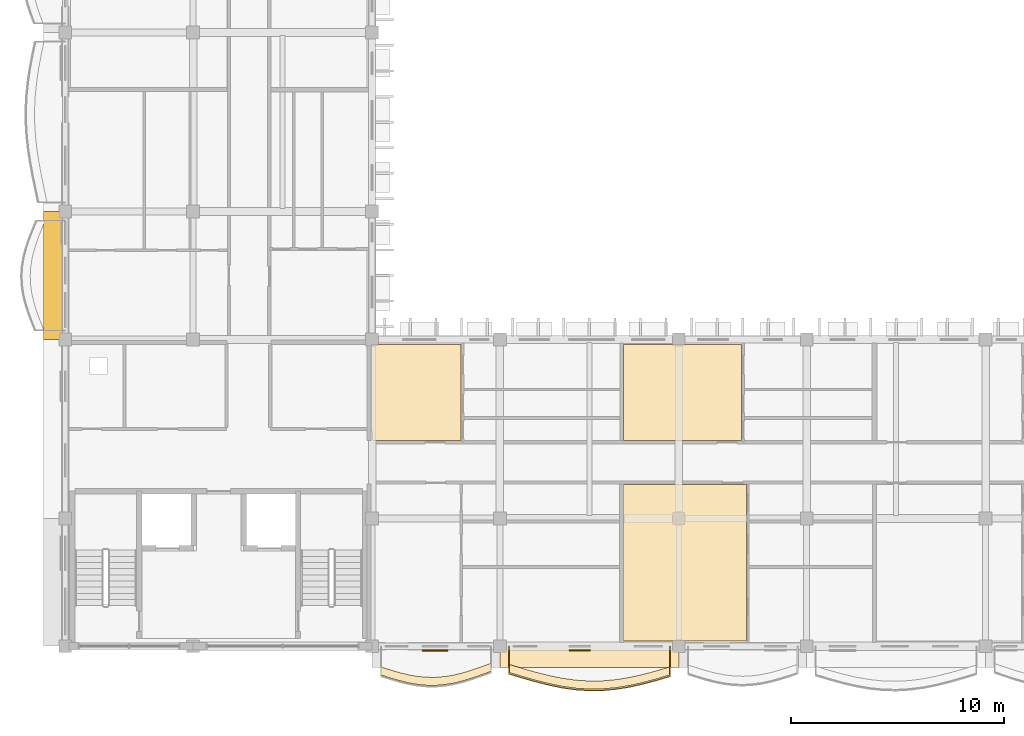
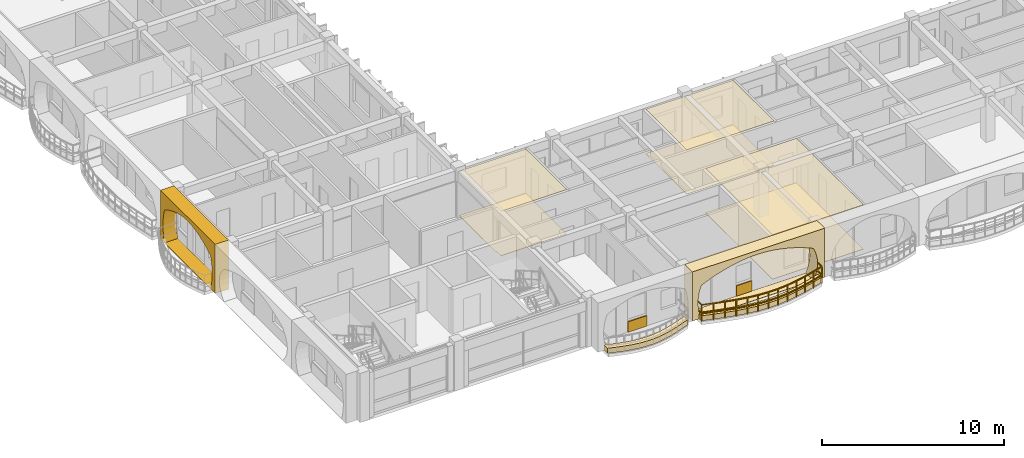
# One storey, part 69 of 101: 12 coverings, 1 railing.
"""IFC4 building model written with IfcOpenShell, lengths in metres."""

from ifc_helpers import new_model, si_unit, direction, frame, origin, origin_2d, place, context, subcontext, project, spatial, polyline, rectangle, outline, extrude, material, layer, layer_set, type_object, element, save


model = new_model("IFC4")

# Units and contexts
model_context = context("Model", 3, precision=1e-05, world=origin(), true_north=direction((0.0, 1.0)))
body_context = subcontext(model_context, "Body", "Model", "MODEL_VIEW")
ifc_project = project(units=[si_unit("LENGTHUNIT", "METRE"), si_unit("AREAUNIT", "SQUARE_METRE"), si_unit("VOLUMEUNIT", "CUBIC_METRE"), si_unit("PLANEANGLEUNIT", "RADIAN"), si_unit("MASSUNIT", "GRAM", prefix="KILO"), si_unit("THERMODYNAMICTEMPERATUREUNIT", "KELVIN")], contexts=[model_context])

# Site, building, storey
site_placement = place(None, origin())
site = spatial("IfcSite", under=ifc_project, at=site_placement, CompositionType="ELEMENT")
building_placement = place(site_placement, origin())
building = spatial("IfcBuilding", under=site, at=building_placement, Name="Thalorik Housing Commons", CompositionType="ELEMENT")
storey_placement = place(building_placement, frame((0.0, 0.0, 8.10009765625)))
storey = spatial("IfcBuildingStorey", under=building, at=storey_placement, Name="L02", CompositionType="ELEMENT", Elevation=8.10009765625)

# Coverings
ifc_material_1 = material(Name="Precast concrete C40/50", Category="concrete")
ifc_layer_1 = layer(ifc_material_1, 0.85009765625, Name="Precast concrete C40/50", Category="concrete")
ifc_layer_set_1 = layer_set([ifc_layer_1], Name="Precast concrete C40/50")
covering_type_1 = type_object("IfcCoveringType", Name="ARC-CLD-CUSH-850", PredefinedType="CLADDING", material=ifc_layer_set_1)
covering_1_placement = place(storey_placement, frame((7.81494140625, 25.800048828125, 0.0), z_axis=(0.0, 0.0, 1.0), x_axis=(0.0, -1.0, 0.0)))
element("IfcCovering", 1, at=covering_1_placement, inside=storey, type_object=covering_type_1, Name="L02 White Precast Curved Cushion Bay Frame 3597", PredefinedType="CLADDING", context=body_context, shape_type="SweptSolid", body=[
    extrude(outline(polyline([(-3.0, 0.0), (3.0, 0.0), (3.0, 3.300048828125), (-3.0, 3.300048828125), (-3.0, 0.0)]), holes=[polyline([(2.485107421875, 0.02490234375), (2.59375, 0.394287109375), (2.658935546875, 0.76318359375), (2.6806640625, 1.132568359375), (2.658935546875, 1.501708984375), (2.59375, 1.870849609375), (2.485107421875, 2.239990234375), (2.063232421875, 2.4833984375), (1.6416015625, 2.6748046875), (1.219970703125, 2.82958984375), (0.79833984375, 2.94482421875), (0.376708984375, 3.01611328125), (-0.044921875, 3.0400390625), (-0.466796875, 3.01611328125), (-0.88818359375, 2.94482421875), (-1.31005859375, 2.82958984375), (-1.731689453125, 2.6748046875), (-2.1533203125, 2.4833984375), (-2.574951171875, 2.239990234375), (-2.664794921875, 1.870849609375), (-2.718505859375, 1.501708984375), (-2.736572265625, 1.132568359375), (-2.718505859375, 0.76318359375), (-2.664794921875, 0.394287109375), (-2.574951171875, 0.02490234375), (2.485107421875, 0.02490234375)])]), frame((0.0, 0.425048828125, 0.0), z_axis=(0.0, -1.0, 0.0), x_axis=(1.0, 0.0, 0.0)), (0.0, 0.0, 1.0), 0.85009765625),
])
covering_2_placement = place(storey_placement, frame((33.0, 7.81494140625, 0.0), z_axis=(0.0, 0.0, 1.0), x_axis=(1.0, 0.0, 0.0)))
element("IfcCovering", 2, at=covering_2_placement, inside=storey, type_object=covering_type_1, Name="L02 White Precast Curved Cushion Bay Frame 3605", PredefinedType="CLADDING", context=body_context, shape_type="SweptSolid", body=[
    extrude(outline(polyline([(-4.199951171875, 0.0), (4.199951171875, 0.0), (4.199951171875, 3.300048828125), (-4.199951171875, 3.300048828125), (-4.199951171875, 0.0)]), holes=[polyline([(3.47509765625, 0.02490234375), (3.628173828125, 0.387451171875), (3.719970703125, 0.75), (3.75048828125, 1.112548828125), (3.719970703125, 1.47509765625), (3.628173828125, 1.83740234375), (3.47509765625, 2.199951171875), (2.8828125, 2.455810546875), (2.290771484375, 2.656494140625), (1.69873046875, 2.819091796875), (1.106689453125, 2.940185546875), (0.5146484375, 3.014892578125), (-0.077392578125, 3.0400390625), (-0.669677734375, 3.014892578125), (-1.26171875, 2.940185546875), (-1.853759765625, 2.819091796875), (-2.44580078125, 2.656494140625), (-3.037841796875, 2.455810546875), (-3.6298828125, 2.199951171875), (-3.750244140625, 1.83740234375), (-3.822509765625, 1.47509765625), (-3.8466796875, 1.112548828125), (-3.822509765625, 0.75), (-3.750244140625, 0.387451171875), (-3.6298828125, 0.02490234375), (3.47509765625, 0.02490234375)])]), frame((0.0, 0.425048828125, 0.0), z_axis=(0.0, -1.0, 0.0), x_axis=(1.0, 0.0, 0.0)), (0.0, 0.0, 1.0), 0.85009765625),
])
ifc_material_2 = material(Name="Terracotta red mineral fibre-cement panel", Category="masonry")
ifc_layer_2 = layer(ifc_material_2, 0.054931640625, Name="Terracotta red mineral fibre-cement panel", Category="masonry")
ifc_layer_set_2 = layer_set([ifc_layer_2], Name="Terracotta red mineral fibre-cement panel")
covering_type_2 = type_object("IfcCoveringType", Name="ARC-CLD-RED-55", PredefinedType="CLADDING", material=ifc_layer_set_2)
covering_3_placement = place(storey_placement, frame((32.544921875, 8.20751953125, 0.0498046875), z_axis=(0.0, 0.0, 1.0), x_axis=(1.0, 0.0, 0.0)))
element("IfcCovering", 3, at=covering_3_placement, inside=storey, type_object=covering_type_2, Name="L02 De Stijl Recessed Window Spandrel 3606", PredefinedType="CLADDING", context=body_context, shape_type="SweptSolid", body=[
    extrude(rectangle(XDim=1.0, YDim=0.054931640625, at=origin_2d()), origin(), (0.0, 0.0, 1.0), 0.699951171875),
])
ifc_material_3 = material(Name="Mineral ochre architectural terracotta panel", Category="masonry")
ifc_layer_3 = layer(ifc_material_3, 0.06494140625, Name="Mineral ochre architectural terracotta panel", Category="masonry")
ifc_layer_set_3 = layer_set([ifc_layer_3], Name="Mineral ochre architectural terracotta panel")
covering_type_3 = type_object("IfcCoveringType", Name="ARC-CLD-YEL-65", PredefinedType="CLADDING", material=ifc_layer_set_3)
covering_4_placement = place(storey_placement, frame((25.7548828125, 8.202392578125, 0.0498046875), z_axis=(0.0, 0.0, 1.0), x_axis=(1.0, 0.0, 0.0)))
element("IfcCovering", 4, at=covering_4_placement, inside=storey, type_object=covering_type_3, Name="L02 De Stijl Recessed Window Spandrel 3604", PredefinedType="CLADDING", context=body_context, shape_type="SweptSolid", body=[
    extrude(rectangle(XDim=1.199951171875, YDim=0.06494140625, at=origin_2d()), origin(), (0.0, 0.0, 1.0), 0.699951171875),
])
ifc_material_4 = material(Name="Slatted timber acoustic hall baffle ceiling", Category="wood")
ifc_layer_4 = layer(ifc_material_4, 0.02197265625, Name="Slatted timber acoustic hall baffle ceiling", Category="wood")
ifc_layer_set_4 = layer_set([ifc_layer_4], Name="Slatted timber acoustic hall baffle ceiling")
covering_type_4 = type_object("IfcCoveringType", Name="ARC-COV-CEIL-03", PredefinedType="CEILING", material=ifc_layer_set_4)
covering_5_placement = place(storey_placement, frame((0.0, 0.0, 2.977783203125)))
element("IfcCovering", 5, at=covering_5_placement, inside=storey, type_object=covering_type_4, Name="L02 Family Lounge Suspended Ceiling", PredefinedType="CEILING", context=body_context, shape_type="SweptSolid", body=[
    extrude(outline(polyline([(22.739990234375, 18.4951171875), (22.80712890625, 18.4931640625), (22.81494140625, 18.47998046875), (22.81494140625, 18.06005859375), (26.98291015625, 18.06005859375), (26.98291015625, 22.56005859375), (22.739990234375, 22.56005859375), (22.739990234375, 18.4951171875)])), origin(), (0.0, 0.0, 1.0), 0.022216796875),
])
ifc_material_5 = material(Name="Moisture-resistant gypsum bathroom ceiling")
ifc_layer_5 = layer(ifc_material_5, 0.02490234375, Name="Moisture-resistant gypsum bathroom ceiling")
ifc_layer_set_5 = layer_set([ifc_layer_5], Name="Moisture-resistant gypsum bathroom ceiling")
covering_type_5 = type_object("IfcCoveringType", Name="ARC-COV-CEIL-04", PredefinedType="CEILING", material=ifc_layer_set_5)
covering_6_placement = place(storey_placement, frame((0.0, 0.0, 2.974853515625)))
element("IfcCovering", 6, at=covering_6_placement, inside=storey, type_object=covering_type_5, Name="L02 Living Dining Room Suspended Ceiling", PredefinedType="CEILING", context=body_context, shape_type="SweptSolid", body=[
    extrude(outline(polyline([(40.3798828125, 8.639892578125), (40.3798828125, 16.0), (34.60009765625, 16.0), (34.60009765625, 8.639892578125), (40.3798828125, 8.639892578125)])), origin(), (0.0, 0.0, 1.0), 0.025146484375),
])
ifc_material_6 = material(Name="Fire-rated calcium silicate corridor ceiling")
ifc_layer_6 = layer(ifc_material_6, 0.030029296875, Name="Fire-rated calcium silicate corridor ceiling")
ifc_layer_set_6 = layer_set([ifc_layer_6], Name="Fire-rated calcium silicate corridor ceiling")
covering_type_6 = type_object("IfcCoveringType", Name="ARC-COV-CEIL-05", PredefinedType="CEILING", material=ifc_layer_set_6)
covering_7_placement = place(storey_placement, frame((0.0, 0.0, 2.969970703125)))
element("IfcCovering", 7, at=covering_7_placement, inside=storey, type_object=covering_type_6, Name="L02 Living Dining Room Suspended Ceiling", PredefinedType="CEILING", context=body_context, shape_type="SweptSolid", body=[
    extrude(outline(polyline([(40.142822265625, 18.06005859375), (40.142822265625, 22.56005859375), (34.60009765625, 22.56005859375), (34.60009765625, 18.06005859375), (40.142822265625, 18.06005859375)])), origin(), (0.0, 0.0, 1.0), 0.030029296875),
])
ifc_material_7 = material(Name="Cushioned natural linoleum nursery playroom flooring")
ifc_layer_7 = layer(ifc_material_7, 0.02001953125, Name="Cushioned natural linoleum nursery playroom flooring")
ifc_layer_set_7 = layer_set([ifc_layer_7], Name="Cushioned natural linoleum nursery playroom flooring")
covering_type_7 = type_object("IfcCoveringType", Name="ARC-COV-FLR-03", PredefinedType="FLOORING", material=ifc_layer_set_7)
covering_8_placement = place(storey_placement, origin())
element("IfcCovering", 8, at=covering_8_placement, inside=storey, type_object=covering_type_7, Name="L02 Family Lounge Flooring", PredefinedType="FLOORING", context=body_context, shape_type="SweptSolid", body=[
    extrude(outline(polyline([(22.739990234375, 18.4951171875), (22.80712890625, 18.4931640625), (22.81494140625, 18.47998046875), (22.81494140625, 18.06005859375), (26.98291015625, 18.06005859375), (26.98291015625, 22.56005859375), (22.739990234375, 22.56005859375), (22.739990234375, 18.4951171875)])), origin(), (0.0, 0.0, 1.0), 0.02001953125),
])
ifc_material_8 = material(Name="Sprung Brazilian oak assembly hall timber floor", Category="wood")
ifc_layer_8 = layer(ifc_material_8, 0.02392578125, Name="Sprung Brazilian oak assembly hall timber floor", Category="wood")
ifc_layer_set_8 = layer_set([ifc_layer_8], Name="Sprung Brazilian oak assembly hall timber floor")
covering_type_8 = type_object("IfcCoveringType", Name="ARC-COV-FLR-04", PredefinedType="FLOORING", material=ifc_layer_set_8)
covering_9_placement = place(storey_placement, origin())
element("IfcCovering", 9, at=covering_9_placement, inside=storey, type_object=covering_type_8, Name="L02 Living Dining Room Flooring", PredefinedType="FLOORING", context=body_context, shape_type="SweptSolid", body=[
    extrude(outline(polyline([(40.3798828125, 8.639892578125), (40.3798828125, 16.0), (34.60009765625, 16.0), (34.60009765625, 8.639892578125), (40.3798828125, 8.639892578125)])), origin(), (0.0, 0.0, 1.0), 0.02392578125),
])
ifc_material_9 = material(Name="Heavy-duty porcelain metro vestibule tile")
ifc_layer_9 = layer(ifc_material_9, 0.028076171875, Name="Heavy-duty porcelain metro vestibule tile")
ifc_layer_set_9 = layer_set([ifc_layer_9], Name="Heavy-duty porcelain metro vestibule tile")
covering_type_9 = type_object("IfcCoveringType", Name="ARC-COV-FLR-05", PredefinedType="FLOORING", material=ifc_layer_set_9)
covering_10_placement = place(storey_placement, origin())
element("IfcCovering", 10, at=covering_10_placement, inside=storey, type_object=covering_type_9, Name="L02 Living Dining Room Flooring", PredefinedType="FLOORING", context=body_context, shape_type="SweptSolid", body=[
    extrude(outline(polyline([(40.142822265625, 18.06005859375), (40.142822265625, 22.56005859375), (34.60009765625, 22.56005859375), (34.60009765625, 18.06005859375), (40.142822265625, 18.06005859375)])), origin(), (0.0, 0.0, 1.0), 0.02783203125),
])
ifc_material_10 = material(Name="Planted vegetated substrate and terracotta trough", Category="masonry")
ifc_layer_10 = layer(ifc_material_10, 0.340087890625, Name="Planted vegetated substrate and terracotta trough", Category="masonry")
ifc_layer_set_10 = layer_set([ifc_layer_10], Name="Planted vegetated substrate and terracotta trough")
covering_type_10 = type_object("IfcCoveringType", Name="ARC-COV-PLANTER", PredefinedType="USERDEFINED", material=ifc_layer_set_10)
covering_11_placement = place(storey_placement, origin())
element("IfcCovering", 11, at=covering_11_placement, inside=storey, type_object=covering_type_10, Name="L02 Balcony Slab-Edge Planted Trough 5572", ObjectType="PLANTER", PredefinedType="USERDEFINED", context=body_context, shape_type="SweptSolid", body=[
    extrude(outline(polyline([(23.219970703125, 7.047119140625), (23.64990234375, 6.9091796875), (24.080078125, 6.78369140625), (24.510009765625, 6.67919921875), (24.93994140625, 6.603759765625), (25.3701171875, 6.5634765625), (25.800048828125, 6.561279296875), (26.22998046875, 6.5986328125), (26.659912109375, 6.673095703125), (27.090087890625, 6.77978515625), (27.52001953125, 6.912353515625), (27.949951171875, 7.0615234375), (28.3798828125, 7.21728515625), (28.3798828125, 7.597412109375), (27.949951171875, 7.441650390625), (27.52001953125, 7.29248046875), (27.090087890625, 7.159912109375), (26.659912109375, 7.052978515625), (26.22998046875, 6.978515625), (25.800048828125, 6.94140625), (25.3701171875, 6.943359375), (24.93994140625, 6.98388671875), (24.510009765625, 7.05908203125), (24.080078125, 7.16357421875), (23.64990234375, 7.289306640625), (23.219970703125, 7.427001953125), (23.219970703125, 7.047119140625)])), origin(), (0.0, 0.0, 1.0), 0.33984375),
])
covering_12_placement = place(storey_placement, origin())
element("IfcCovering", 12, at=covering_12_placement, inside=storey, type_object=covering_type_10, Name="L02 Balcony Slab-Edge Planted Trough 5573", ObjectType="PLANTER", PredefinedType="USERDEFINED", context=body_context, shape_type="SweptSolid", body=[
    extrude(outline(polyline([(29.219970703125, 7.16845703125), (29.85009765625, 6.98095703125), (30.47998046875, 6.80126953125), (31.110107421875, 6.64208984375), (31.739990234375, 6.51416015625), (32.3701171875, 6.4267578125), (33.0, 6.385986328125), (33.6298828125, 6.39453125), (34.260009765625, 6.451904296875), (34.889892578125, 6.5546875), (35.52001953125, 6.6953125), (36.14990234375, 6.864013671875), (36.780029296875, 7.0498046875), (36.780029296875, 7.4296875), (36.14990234375, 7.244140625), (35.52001953125, 7.0751953125), (34.889892578125, 6.9345703125), (34.260009765625, 6.83203125), (33.6298828125, 6.7744140625), (33.0, 6.765869140625), (32.3701171875, 6.806884765625), (31.739990234375, 6.894287109375), (31.110107421875, 7.02197265625), (30.47998046875, 7.18115234375), (29.85009765625, 7.36083984375), (29.219970703125, 7.54833984375), (29.219970703125, 7.16845703125)])), origin(), (0.0, 0.0, 1.0), 0.33984375),
])

# Railing
ifc_material_11 = material(Name="Steel S355", Category="steel")
railing_type = type_object("IfcRailingType", Name="ARC-RL-BAL-115", PredefinedType="BALUSTRADE", material=ifc_material_11)
railing_placement = place(storey_placement, frame((29.219970703125, 8.39990234375, 0.0)))
element("IfcRailing", 13, at=railing_placement, inside=storey, type_object=railing_type, Name="L02 Cushion Balcony Guardrail 257", PredefinedType="BALUSTRADE", context=body_context, shape_type="SweptSolid", body=[
    extrude(rectangle(XDim=0.050048828125, YDim=0.050048828125, at=origin_2d()), frame((0.0, 0.0, 1.125), z_axis=(0.0, -1.0, 0.0), x_axis=(1.0, 0.0, 0.0)), (0.0, 0.0, 1.0), 1.301513671875),
    extrude(rectangle(XDim=0.050048828125, YDim=0.050048828125, at=origin_2d()), frame((0.0, 0.0, 0.5498046875), z_axis=(0.0, -1.0, 0.0), x_axis=(1.0, 0.0, 0.0)), (0.0, 0.0, 1.0), 1.301513671875),
    extrude(rectangle(XDim=0.050048828125, YDim=0.050048828125, at=origin_2d()), frame((0.0, -1.301513671875, 1.125), z_axis=(0.958467789843, -0.285200799147, 0.0), x_axis=(0.285200799147, 0.958467789843, 0.0)), (0.0, 0.0, 1.0), 0.657470703125),
    extrude(rectangle(XDim=0.050048828125, YDim=0.050048828125, at=origin_2d()), frame((0.0, -1.301513671875, 0.5498046875), z_axis=(0.958467789843, -0.285200799147, 0.0), x_axis=(0.285200799147, 0.958467789843, 0.0)), (0.0, 0.0, 1.0), 0.657470703125),
    extrude(rectangle(XDim=0.050048828125, YDim=0.050048828125, at=origin_2d()), frame((0.630126953125, -1.489013671875, 1.125), z_axis=(0.961636388432, -0.274327279801, 0.0), x_axis=(0.274327279801, 0.961636388432, 0.0)), (0.0, 0.0, 1.0), 0.655029296875),
    extrude(rectangle(XDim=0.050048828125, YDim=0.050048828125, at=origin_2d()), frame((0.630126953125, -1.489013671875, 0.5498046875), z_axis=(0.961636388432, -0.274327279801, 0.0), x_axis=(0.274327279801, 0.961636388432, 0.0)), (0.0, 0.0, 1.0), 0.655029296875),
    extrude(rectangle(XDim=0.050048828125, YDim=0.050048828125, at=origin_2d()), frame((1.260009765625, -1.668701171875, 1.125), z_axis=(0.969542950291, -0.244921349705, 0.0), x_axis=(0.244921349705, 0.969542950291, 0.0)), (0.0, 0.0, 1.0), 0.64990234375),
    extrude(rectangle(XDim=0.050048828125, YDim=0.050048828125, at=origin_2d()), frame((1.260009765625, -1.668701171875, 0.5498046875), z_axis=(0.969542950291, -0.244921349705, 0.0), x_axis=(0.244921349705, 0.969542950291, 0.0)), (0.0, 0.0, 1.0), 0.64990234375),
    extrude(rectangle(XDim=0.050048828125, YDim=0.050048828125, at=origin_2d()), frame((1.89013671875, -1.827880859375, 1.125), z_axis=(0.979991950448, -0.19903712482, 0.0), x_axis=(0.19903712482, 0.979991950448, 0.0)), (0.0, 0.0, 1.0), 0.642822265625),
    extrude(rectangle(XDim=0.050048828125, YDim=0.050048828125, at=origin_2d()), frame((1.89013671875, -1.827880859375, 0.5498046875), z_axis=(0.979991950448, -0.19903712482, 0.0), x_axis=(0.19903712482, 0.979991950448, 0.0)), (0.0, 0.0, 1.0), 0.642822265625),
    extrude(rectangle(XDim=0.050048828125, YDim=0.050048828125, at=origin_2d()), frame((2.52001953125, -1.955810546875, 1.125), z_axis=(0.990516951139, -0.137390572843, 0.0), x_axis=(0.137390572843, 0.990516951139, 0.0)), (0.0, 0.0, 1.0), 0.63623046875),
    extrude(rectangle(XDim=0.050048828125, YDim=0.050048828125, at=origin_2d()), frame((2.52001953125, -1.955810546875, 0.5498046875), z_axis=(0.990516951139, -0.137390572843, 0.0), x_axis=(0.137390572843, 0.990516951139, 0.0)), (0.0, 0.0, 1.0), 0.63623046875),
    extrude(rectangle(XDim=0.050048828125, YDim=0.050048828125, at=origin_2d()), frame((3.150146484375, -2.043212890625, 1.125), z_axis=(0.997911658868, -0.064593506601, 0.0), x_axis=(0.064593506601, 0.997911658868, 0.0)), (0.0, 0.0, 1.0), 0.631103515625),
    extrude(rectangle(XDim=0.050048828125, YDim=0.050048828125, at=origin_2d()), frame((3.150146484375, -2.043212890625, 0.5498046875), z_axis=(0.997911658868, -0.064593506601, 0.0), x_axis=(0.064593506601, 0.997911658868, 0.0)), (0.0, 0.0, 1.0), 0.631103515625),
    extrude(rectangle(XDim=0.050048828125, YDim=0.050048828125, at=origin_2d()), frame((3.780029296875, -2.083984375, 1.125), z_axis=(0.999907995993, 0.013564643356, 0.0), x_axis=(-0.013564643356, 0.999907995993, 0.0)), (0.0, 0.0, 1.0), 0.6298828125),
    extrude(rectangle(XDim=0.050048828125, YDim=0.050048828125, at=origin_2d()), frame((3.780029296875, -2.083984375, 0.5498046875), z_axis=(0.999907995993, 0.013564643356, 0.0), x_axis=(-0.013564643356, 0.999907995993, 0.0)), (0.0, 0.0, 1.0), 0.6298828125),
    extrude(rectangle(XDim=0.050048828125, YDim=0.050048828125, at=origin_2d()), frame((4.409912109375, -2.075439453125, 1.125), z_axis=(0.995845630762, 0.091057562518, 0.0), x_axis=(-0.091057562518, 0.995845630762, 0.0)), (0.0, 0.0, 1.0), 0.6328125),
    extrude(rectangle(XDim=0.050048828125, YDim=0.050048828125, at=origin_2d()), frame((4.409912109375, -2.075439453125, 0.5498046875), z_axis=(0.995845630762, 0.091057562518, 0.0), x_axis=(-0.091057562518, 0.995845630762, 0.0)), (0.0, 0.0, 1.0), 0.6328125),
    extrude(rectangle(XDim=0.050048828125, YDim=0.050048828125, at=origin_2d()), frame((5.0400390625, -2.017822265625, 1.125), z_axis=(0.987007269931, 0.160675602082, 0.0), x_axis=(-0.160675602082, 0.987007269931, 0.0)), (0.0, 0.0, 1.0), 0.63818359375),
    extrude(rectangle(XDim=0.050048828125, YDim=0.050048828125, at=origin_2d()), frame((5.0400390625, -2.017822265625, 0.5498046875), z_axis=(0.987007269931, 0.160675602082, 0.0), x_axis=(-0.160675602082, 0.987007269931, 0.0)), (0.0, 0.0, 1.0), 0.63818359375),
    extrude(rectangle(XDim=0.050048828125, YDim=0.050048828125, at=origin_2d()), frame((5.669921875, -1.915283203125, 1.125), z_axis=(0.975990917387, 0.217811223718, 0.0), x_axis=(-0.217811223718, 0.975990917387, 0.0)), (0.0, 0.0, 1.0), 0.6455078125),
    extrude(rectangle(XDim=0.050048828125, YDim=0.050048828125, at=origin_2d()), frame((5.669921875, -1.915283203125, 0.5498046875), z_axis=(0.975990917387, 0.217811223718, 0.0), x_axis=(-0.217811223718, 0.975990917387, 0.0)), (0.0, 0.0, 1.0), 0.6455078125),
    extrude(rectangle(XDim=0.050048828125, YDim=0.050048828125, at=origin_2d()), frame((6.300048828125, -1.774658203125, 1.125), z_axis=(0.965861116795, 0.259060423575, 0.0), x_axis=(-0.259060423575, 0.965861116795, 0.0)), (0.0, 0.0, 1.0), 0.652099609375),
    extrude(rectangle(XDim=0.050048828125, YDim=0.050048828125, at=origin_2d()), frame((6.300048828125, -1.774658203125, 0.5498046875), z_axis=(0.965861116795, 0.259060423575, 0.0), x_axis=(-0.259060423575, 0.965861116795, 0.0)), (0.0, 0.0, 1.0), 0.652099609375),
    extrude(rectangle(XDim=0.050048828125, YDim=0.050048828125, at=origin_2d()), frame((6.929931640625, -1.605712890625, 1.125), z_axis=(0.959276679741, 0.282468142814, 0.0), x_axis=(-0.282468142814, 0.959276679741, 0.0)), (0.0, 0.0, 1.0), 0.656982421875),
    extrude(rectangle(XDim=0.050048828125, YDim=0.050048828125, at=origin_2d()), frame((6.929931640625, -1.605712890625, 0.5498046875), z_axis=(0.959276679741, 0.282468142814, 0.0), x_axis=(-0.282468142814, 0.959276679741, 0.0)), (0.0, 0.0, 1.0), 0.656982421875),
    extrude(rectangle(XDim=0.050048828125, YDim=0.050048828125, at=origin_2d()), frame((7.56005859375, -1.420166015625, 1.125), z_axis=(0.0, 1.0, 0.0), x_axis=(-1.0, 0.0, 0.0)), (0.0, 0.0, 1.0), 1.420166015625),
    extrude(rectangle(XDim=0.050048828125, YDim=0.050048828125, at=origin_2d()), frame((7.56005859375, -1.420166015625, 0.5498046875), z_axis=(0.0, 1.0, 0.0), x_axis=(-1.0, 0.0, 0.0)), (0.0, 0.0, 1.0), 1.420166015625),
    extrude(rectangle(XDim=0.0419921875, YDim=0.0419921875, at=origin_2d()), origin(), (0.0, 0.0, 1.0), 1.099853515625),
    extrude(rectangle(XDim=0.0419921875, YDim=0.0419921875, at=origin_2d()), frame((0.0, -1.301513671875, 0.0)), (0.0, 0.0, 1.0), 1.099853515625),
    extrude(rectangle(XDim=0.0419921875, YDim=0.0419921875, at=origin_2d()), frame((0.630126953125, -1.489013671875, 0.0)), (0.0, 0.0, 1.0), 1.099853515625),
    extrude(rectangle(XDim=0.0419921875, YDim=0.0419921875, at=origin_2d()), frame((1.260009765625, -1.668701171875, 0.0)), (0.0, 0.0, 1.0), 1.099853515625),
    extrude(rectangle(XDim=0.0419921875, YDim=0.0419921875, at=origin_2d()), frame((1.89013671875, -1.827880859375, 0.0)), (0.0, 0.0, 1.0), 1.099853515625),
    extrude(rectangle(XDim=0.0419921875, YDim=0.0419921875, at=origin_2d()), frame((2.52001953125, -1.955810546875, 0.0)), (0.0, 0.0, 1.0), 1.099853515625),
    extrude(rectangle(XDim=0.0419921875, YDim=0.0419921875, at=origin_2d()), frame((3.150146484375, -2.043212890625, 0.0)), (0.0, 0.0, 1.0), 1.099853515625),
    extrude(rectangle(XDim=0.0419921875, YDim=0.0419921875, at=origin_2d()), frame((3.780029296875, -2.083984375, 0.0)), (0.0, 0.0, 1.0), 1.099853515625),
    extrude(rectangle(XDim=0.0419921875, YDim=0.0419921875, at=origin_2d()), frame((4.409912109375, -2.075439453125, 0.0)), (0.0, 0.0, 1.0), 1.099853515625),
    extrude(rectangle(XDim=0.0419921875, YDim=0.0419921875, at=origin_2d()), frame((5.0400390625, -2.017822265625, 0.0)), (0.0, 0.0, 1.0), 1.099853515625),
    extrude(rectangle(XDim=0.0419921875, YDim=0.0419921875, at=origin_2d()), frame((5.669921875, -1.915283203125, 0.0)), (0.0, 0.0, 1.0), 1.099853515625),
    extrude(rectangle(XDim=0.0419921875, YDim=0.0419921875, at=origin_2d()), frame((6.300048828125, -1.774658203125, 0.0)), (0.0, 0.0, 1.0), 1.099853515625),
    extrude(rectangle(XDim=0.0419921875, YDim=0.0419921875, at=origin_2d()), frame((6.929931640625, -1.605712890625, 0.0)), (0.0, 0.0, 1.0), 1.099853515625),
    extrude(rectangle(XDim=0.0419921875, YDim=0.0419921875, at=origin_2d()), frame((7.56005859375, -1.420166015625, 0.0)), (0.0, 0.0, 1.0), 1.099853515625),
    extrude(rectangle(XDim=0.0419921875, YDim=0.0419921875, at=origin_2d()), frame((7.56005859375, 0.0, 0.0)), (0.0, 0.0, 1.0), 1.099853515625),
])

save(model, "model.ifc")
